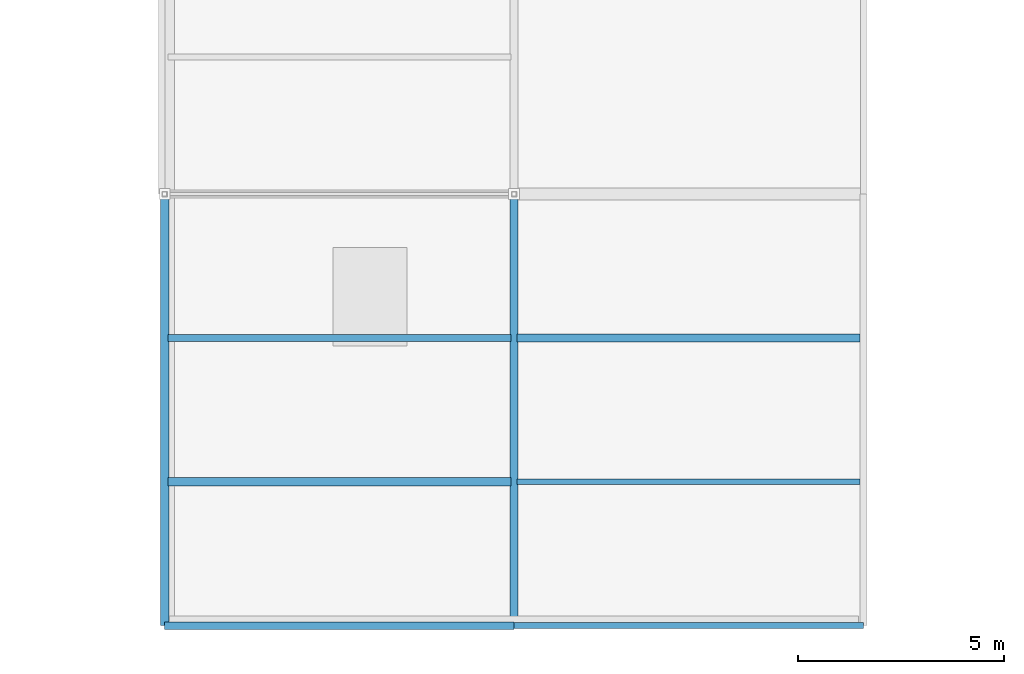
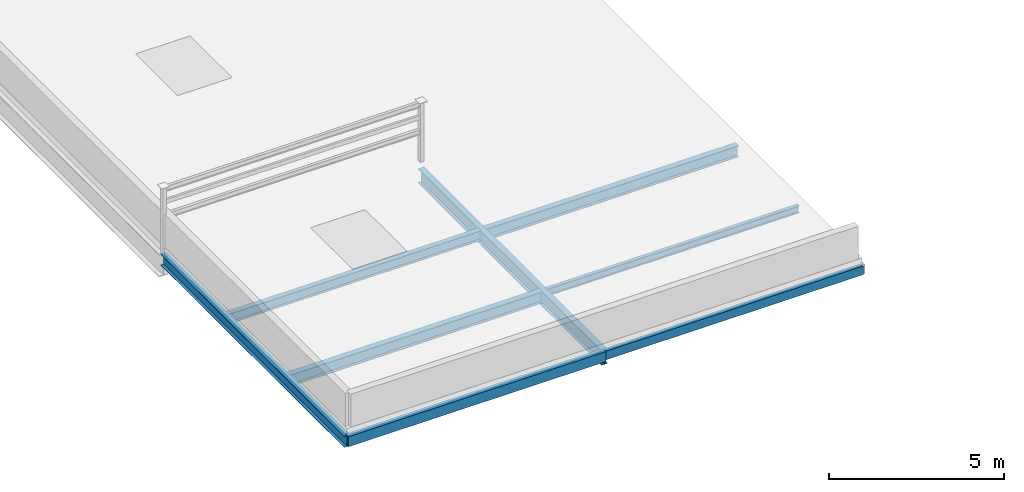
# One storey, part 3 of 35: 8 beams.
"""IFC4 building model written with IfcOpenShell, lengths in metres."""

from ifc_helpers import new_model, si_unit, direction, frame, origin, origin_2d, place, context, subcontext, project, spatial, hollow_rectangle, i_section, extrude, material, material_profile, profile_set, type_object, element, save


model = new_model("IFC4")

# Units and contexts
model_context = context("Model", 3, precision=1e-05, world=origin(), true_north=direction((0.0, 1.0)))
body_context = subcontext(model_context, "Body", "Model", "MODEL_VIEW")
ifc_project = project(units=[si_unit("LENGTHUNIT", "METRE"), si_unit("AREAUNIT", "SQUARE_METRE"), si_unit("VOLUMEUNIT", "CUBIC_METRE"), si_unit("PLANEANGLEUNIT", "RADIAN"), si_unit("MASSUNIT", "GRAM", prefix="KILO")], contexts=[model_context])

# Site, building, storey
site_placement = place(None, origin())
site = spatial("IfcSite", under=ifc_project, at=site_placement, CompositionType="ELEMENT")
building_placement = place(site_placement, origin())
building = spatial("IfcBuilding", under=site, at=building_placement, Name="Solvikara Media Centre", CompositionType="ELEMENT")
storey_placement = place(building_placement, frame((0.0, 0.0, 29.39990234375)))
storey = spatial("IfcBuildingStorey", under=building, at=storey_placement, Name="L06", CompositionType="ELEMENT", Elevation=29.39990234375)

# Beams
ifc_material = material(Name="Steel S355JR", Category="steel")
ifc_material_profile_1 = material_profile(ifc_material, i_section(OverallWidth=0.199951171875, OverallDepth=0.5, WebThickness=0.010009765625, FlangeThickness=0.01611328125, at=origin_2d()), Name="WF 500x200x10x16")
ifc_profile_set_1 = profile_set([ifc_material_profile_1], Name="Steel S355JR")
beam_type_1 = type_object("IfcBeamType", Name="BM-19", PredefinedType="BEAM", material=ifc_profile_set_1)
beam_1_placement = place(storey_placement, frame((59.5, 0.0, -0.48193359375), z_axis=(0.0, 1.0, 0.0), x_axis=(-1.0, 0.0, 0.0)))
element("IfcBeam", 1, at=beam_1_placement, inside=storey, type_object=beam_type_1, Name="B-L06-Y1711", PredefinedType="BEAM", context=body_context, shape_type="SweptSolid", body=[
    extrude(i_section(OverallWidth=0.199951171875, OverallDepth=0.5, WebThickness=0.010009765625, FlangeThickness=0.01611328125, at=origin_2d()), origin(), (0.0, 0.0, 1.0), 10.5),
])
ifc_material_profile_2 = material_profile(ifc_material, i_section(OverallWidth=0.125, OverallDepth=0.25, WebThickness=0.006103515625, FlangeThickness=0.009033203125, at=origin_2d()), Name="WF 250x125x6x9")
ifc_profile_set_2 = profile_set([ifc_material_profile_2], Name="Steel S355JR")
beam_type_2 = type_object("IfcBeamType", Name="BM-24", PredefinedType="JOIST", material=ifc_profile_set_2)
beam_2_placement = place(storey_placement, frame((59.577880859375, 3.5, -0.35693359375), z_axis=(1.0, 0.0, 0.0), x_axis=(0.0, 1.0, 0.0)))
element("IfcBeam", 2, at=beam_2_placement, inside=storey, type_object=beam_type_2, Name="J-L06-1732", PredefinedType="JOIST", context=body_context, shape_type="SweptSolid", body=[
    extrude(i_section(OverallWidth=0.125, OverallDepth=0.25, WebThickness=0.006103515625, FlangeThickness=0.009033203125, at=origin_2d()), origin(), (0.0, 0.0, 1.0), 8.34423828125),
])
ifc_material_profile_3 = material_profile(ifc_material, hollow_rectangle(XDim=0.175048828125, YDim=0.35009765625, WallThickness=0.010009765625, at=origin_2d()), Name="RHS 350x175x10")
ifc_profile_set_3 = profile_set([ifc_material_profile_3], Name="Steel S355JR")
beam_type_3 = type_object("IfcBeamType", Name="BM-34", PredefinedType="SPANDREL", material=ifc_profile_set_3)
beam_3_placement = place(storey_placement, frame((51.0, 0.0, -0.406982421875), z_axis=(1.0, 0.0, 0.0), x_axis=(0.0, 1.0, 0.0)))
element("IfcBeam", 3, at=beam_3_placement, inside=storey, type_object=beam_type_3, Name="B-L06-X1692", PredefinedType="SPANDREL", context=body_context, shape_type="SweptSolid", body=[
    extrude(hollow_rectangle(XDim=0.175048828125, YDim=0.35009765625, WallThickness=0.010009765625, at=origin_2d()), origin(), (0.0, 0.0, 1.0), 8.5),
])
ifc_material_profile_4 = material_profile(ifc_material, hollow_rectangle(XDim=0.14990234375, YDim=0.300048828125, WallThickness=0.010009765625, at=origin_2d()), Name="RHS 300x150x10")
ifc_profile_set_4 = profile_set([ifc_material_profile_4], Name="Steel S355JR")
beam_type_4 = type_object("IfcBeamType", Name="BM-35", PredefinedType="BEAM", material=ifc_profile_set_4)
beam_4_placement = place(storey_placement, frame((59.5, 0.0, -0.3818359375), z_axis=(1.0, 0.0, 0.0), x_axis=(0.0, 1.0, 0.0)))
element("IfcBeam", 4, at=beam_4_placement, inside=storey, type_object=beam_type_4, Name="B-L06-X1693", PredefinedType="BEAM", context=body_context, shape_type="SweptSolid", body=[
    extrude(hollow_rectangle(XDim=0.14990234375, YDim=0.300048828125, WallThickness=0.010009765625, at=origin_2d()), origin(), (0.0, 0.0, 1.0), 8.5),
])
ifc_material_profile_5 = material_profile(ifc_material, i_section(OverallWidth=0.198974609375, OverallDepth=0.39599609375, WebThickness=0.007080078125, FlangeThickness=0.010986328125, at=origin_2d()), Name="WF 396x199x7x11")
ifc_profile_set_5 = profile_set([ifc_material_profile_5], Name="Steel S355JR")
beam_type_5 = type_object("IfcBeamType", Name="BM-37", PredefinedType="JOIST", material=ifc_profile_set_5)
for number, where, z_axis, x_axis, name in (
    (5, (51.077880859375, 3.5, -0.429931640625), (1.0, 0.0, 0.0), (0.0, 1.0, 0.0), "J-L06-1725"),
    (6, (59.577880859375, 7.0, -0.429931640625), (1.0, 0.0, 0.0), (0.0, 1.0, 0.0), "J-L06-1733"),
):
    element("IfcBeam", number, at=place(storey_placement, frame(where, z_axis=z_axis, x_axis=x_axis)), inside=storey, type_object=beam_type_5, Name=name, PredefinedType="JOIST", context=body_context, shape_type="SweptSolid", body=[
        extrude(i_section(OverallWidth=0.198974609375, OverallDepth=0.39599609375, WebThickness=0.007080078125, FlangeThickness=0.010986328125, at=origin_2d()), origin(), (0.0, 0.0, 1.0), 8.34423828125),
    ])
ifc_material_profile_6 = material_profile(ifc_material, i_section(OverallWidth=0.174072265625, OverallDepth=0.345947265625, WebThickness=0.006103515625, FlangeThickness=0.009033203125, at=origin_2d()), Name="WF 346x174x6x9")
ifc_profile_set_6 = profile_set([ifc_material_profile_6], Name="Steel S355JR")
beam_type_6 = type_object("IfcBeamType", Name="BM-38", PredefinedType="JOIST", material=ifc_profile_set_6)
beam_5_placement = place(storey_placement, frame((51.077880859375, 7.0, -0.40478515625), z_axis=(1.0, 0.0, 0.0), x_axis=(0.0, 1.0, 0.0)))
element("IfcBeam", 7, at=beam_5_placement, inside=storey, type_object=beam_type_6, Name="J-L06-1726", PredefinedType="JOIST", context=body_context, shape_type="SweptSolid", body=[
    extrude(i_section(OverallWidth=0.174072265625, OverallDepth=0.345947265625, WebThickness=0.006103515625, FlangeThickness=0.009033203125, at=origin_2d()), origin(), (0.0, 0.0, 1.0), 8.34423828125),
])
ifc_material_profile_7 = material_profile(ifc_material, i_section(OverallWidth=0.198974609375, OverallDepth=0.39599609375, WebThickness=0.007080078125, FlangeThickness=0.010986328125, at=origin_2d()), Name="H 396x199x7x11")
ifc_profile_set_7 = profile_set([ifc_material_profile_7], Name="Steel S355JR")
beam_type_7 = type_object("IfcBeamType", Name="BM-44", PredefinedType="BEAM", material=ifc_profile_set_7)
beam_6_placement = place(storey_placement, frame((51.0, 0.0, -0.429931640625), z_axis=(0.0, 1.0, 0.0), x_axis=(-1.0, 0.0, 0.0)))
element("IfcBeam", 8, at=beam_6_placement, inside=storey, type_object=beam_type_7, Name="B-L06-Y1708", PredefinedType="BEAM", context=body_context, shape_type="SweptSolid", body=[
    extrude(i_section(OverallWidth=0.198974609375, OverallDepth=0.39599609375, WebThickness=0.007080078125, FlangeThickness=0.010986328125, at=origin_2d()), origin(), (0.0, 0.0, 1.0), 10.5),
])

save(model, "model.ifc")
